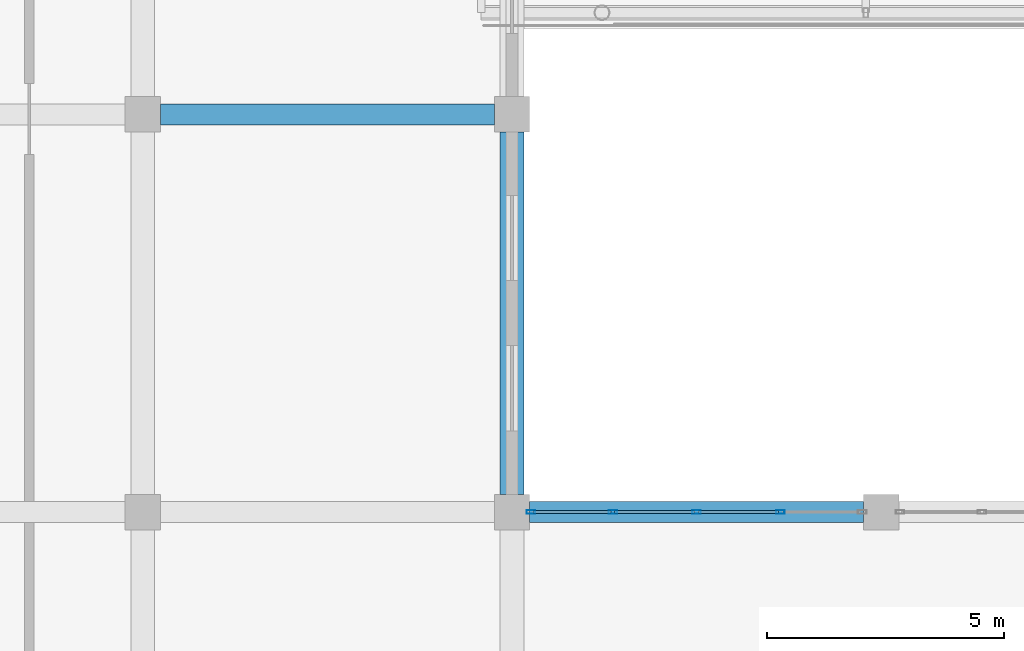
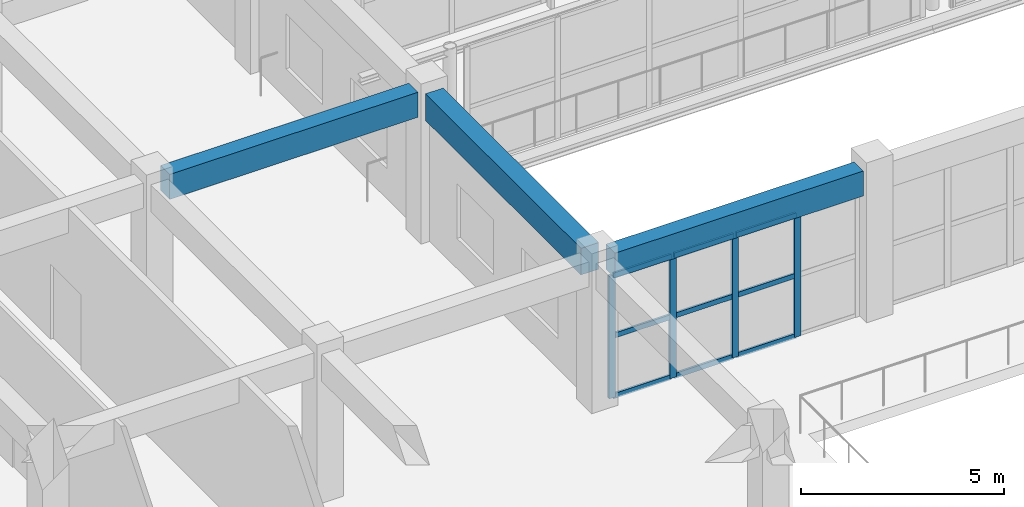
# One storey, part 40 of 175: 13 members, 3 beams, 1 element without a shape of its own.
"""IFC4 building model written with IfcOpenShell, lengths in metres."""

from ifc_helpers import new_model, si_unit, direction, frame, origin, origin_2d, place, context, subcontext, project, spatial, rectangle, hollow_rectangle, extrude, material, layer, layer_set, material_profile, profile_set, type_object, element, aggregate, save


model = new_model("IFC4")

# Units and contexts
model_context = context("Model", 3, precision=1e-05, world=origin(), true_north=direction((0.0, 1.0)))
body_context = subcontext(model_context, "Body", "Model", "MODEL_VIEW")
ifc_project = project(units=[si_unit("LENGTHUNIT", "METRE"), si_unit("AREAUNIT", "SQUARE_METRE"), si_unit("VOLUMEUNIT", "CUBIC_METRE"), si_unit("PLANEANGLEUNIT", "RADIAN"), si_unit("MASSUNIT", "GRAM", prefix="KILO")], contexts=[model_context])

# Site, building, storey
site_placement = place(None, origin())
site = spatial("IfcSite", under=ifc_project, at=site_placement, CompositionType="ELEMENT")
building_placement = place(site_placement, origin())
building = spatial("IfcBuilding", under=site, at=building_placement, Name="Zizhar Promenade General Hospital", CompositionType="ELEMENT")
storey_placement = place(building_placement, frame((0.0, 0.0, 4.800048828125)))
storey = spatial("IfcBuildingStorey", under=building, at=storey_placement, Name="L01", CompositionType="ELEMENT", Elevation=4.800048828125)

# Beams
ifc_material_1 = material(Name="Concrete C35/45", Category="concrete")
ifc_material_profile_1 = material_profile(ifc_material_1, rectangle(XDim=0.449951171875, YDim=0.75, at=origin_2d()))
ifc_profile_set_1 = profile_set([ifc_material_profile_1], Name="Concrete C35/45")
beam_type_1 = type_object("IfcBeamType", Name="BM-RC-450x750", PredefinedType="BEAM", material=ifc_profile_set_1)
for number, where, z_axis, x_axis, name in (
    (1, (62.77490234375, 58.800048828125, 4.094970703125), (1.0, 0.0, 0.0), (0.0, 1.0, 0.0), "Grid Beam X L01 (8-7)"),
    (2, (70.574951171875, 50.39990234375, 4.094970703125), (1.0, 0.0, 0.0), (0.0, 1.0, 0.0), "Grid Beam X L01 (9-6)"),
):
    element("IfcBeam", number, at=place(storey_placement, frame(where, z_axis=z_axis, x_axis=x_axis)), inside=storey, type_object=beam_type_1, Name=name, PredefinedType="BEAM", context=body_context, shape_type="SweptSolid", body=[
        extrude(rectangle(XDim=0.449951171875, YDim=0.75, at=origin_2d()), origin(), (0.0, 0.0, 1.0), 7.050048828125),
    ])
ifc_material_2 = material(Name="Concrete C35/45", Category="concrete")
ifc_material_profile_2 = material_profile(ifc_material_2, rectangle(XDim=0.5, YDim=0.800048828125, at=origin_2d()))
ifc_profile_set_2 = profile_set([ifc_material_profile_2], Name="Concrete C35/45")
beam_type_2 = type_object("IfcBeamType", Name="BM-RC-500x800", PredefinedType="BEAM", material=ifc_profile_set_2)
beam_placement = place(storey_placement, frame((70.199951171875, 50.77490234375, 4.070068359375), z_axis=(0.0, 1.0, 0.0), x_axis=(-1.0, 0.0, 0.0)))
element("IfcBeam", 3, at=beam_placement, inside=storey, type_object=beam_type_2, Name="Grid Beam Y L01 (9-6)", PredefinedType="BEAM", context=body_context, shape_type="SweptSolid", body=[
    extrude(rectangle(XDim=0.5, YDim=0.800048828125, at=origin_2d()), origin(), (0.0, 0.0, 1.0), 7.650146484375),
])

# Curtain wall, members
ifc_material_3 = material(Name="Anodised aluminium 6063-T6 and low-E glass", Category="aluminium")
ifc_layer = layer(ifc_material_3, 0.159912109375)
ifc_layer_set = layer_set([ifc_layer], Name="Anodised aluminium 6063-T6 and low-E glass")
curtain_wall_type = type_object("IfcCurtainWallType", Name="CW-HALL-N", PredefinedType="NOTDEFINED", material=ifc_layer_set)
curtain_wall_placement = place(storey_placement, origin())
curtain_wall = element("IfcCurtainWall", 4, at=curtain_wall_placement, inside=storey, type_object=curtain_wall_type, Name="Main Hall Courtyard Curtain Wall L01-9", PredefinedType="NOTDEFINED")
ifc_material_4 = material(Name="Anodised aluminium 6063-T6", Category="aluminium")
ifc_material_profile_3 = material_profile(ifc_material_4, hollow_rectangle(XDim=0.080078125, YDim=0.179931640625, WallThickness=0.0048828125, at=origin_2d()))
ifc_profile_set_3 = profile_set([ifc_material_profile_3], Name="Anodised aluminium 6063-T6")
member_type_1 = type_object("IfcMemberType", Name="CWM-ALU-180x80", PredefinedType="MULLION", material=ifc_profile_set_3)
member_1_placement = place(storey_placement, frame((70.60009765625, 50.39990234375, 0.0), z_axis=(0.0, 0.0, 1.0), x_axis=(0.0, 1.0, 0.0)))
member_1 = element("IfcMember", 5, at=member_1_placement, type_object=member_type_1, Name="CW-02 mullion 1", PredefinedType="MULLION", context=body_context, shape_type="SweptSolid", body=[
    extrude(hollow_rectangle(XDim=0.080078125, YDim=0.179931640625, WallThickness=0.0048828125, at=origin_2d()), origin(), (0.0, 0.0, 1.0), 3.679931640625),
])
member_2_placement = place(storey_placement, frame((72.330078125, 50.39990234375, 0.0), z_axis=(0.0, 0.0, 1.0), x_axis=(0.0, 1.0, 0.0)))
member_2 = element("IfcMember", 6, at=member_2_placement, type_object=member_type_1, Name="CW-02 mullion 2", PredefinedType="MULLION", context=body_context, shape_type="SweptSolid", body=[
    extrude(hollow_rectangle(XDim=0.080078125, YDim=0.179931640625, WallThickness=0.0048828125, at=origin_2d()), origin(), (0.0, 0.0, 1.0), 3.679931640625),
])
member_3_placement = place(storey_placement, frame((74.10009765625, 50.39990234375, 0.0), z_axis=(0.0, 0.0, 1.0), x_axis=(0.0, 1.0, 0.0)))
member_3 = element("IfcMember", 7, at=member_3_placement, type_object=member_type_1, Name="CW-02 mullion 3", PredefinedType="MULLION", context=body_context, shape_type="SweptSolid", body=[
    extrude(hollow_rectangle(XDim=0.080078125, YDim=0.179931640625, WallThickness=0.0048828125, at=origin_2d()), origin(), (0.0, 0.0, 1.0), 3.679931640625),
])
member_4_placement = place(storey_placement, frame((75.8701171875, 50.39990234375, 0.0), z_axis=(0.0, 0.0, 1.0), x_axis=(0.0, 1.0, 0.0)))
member_4 = element("IfcMember", 8, at=member_4_placement, type_object=member_type_1, Name="CW-02 mullion 4", PredefinedType="MULLION", context=body_context, shape_type="SweptSolid", body=[
    extrude(hollow_rectangle(XDim=0.080078125, YDim=0.179931640625, WallThickness=0.0048828125, at=origin_2d()), origin(), (0.0, 0.0, 1.0), 3.679931640625),
])
ifc_material_5 = material(Name="Anodised aluminium 6063-T6", Category="aluminium")
ifc_material_profile_4 = material_profile(ifc_material_5, hollow_rectangle(XDim=0.06005859375, YDim=0.14990234375, WallThickness=0.00390625, at=origin_2d()))
ifc_profile_set_4 = profile_set([ifc_material_profile_4], Name="Anodised aluminium 6063-T6")
member_type_2 = type_object("IfcMemberType", Name="CWT-ALU-150x60", PredefinedType="USERDEFINED", material=ifc_profile_set_4)
member_5_placement = place(storey_placement, frame((70.639892578125, 50.39990234375, 0.030029296875), z_axis=(1.0, 0.0, 0.0), x_axis=(0.0, 1.0, 0.0)))
member_5 = element("IfcMember", 9, at=member_5_placement, type_object=member_type_2, Name="CW-02 transom 1.1", ObjectType="TRANSOM", PredefinedType="USERDEFINED", context=body_context, shape_type="SweptSolid", body=[
    extrude(hollow_rectangle(XDim=0.06005859375, YDim=0.14990234375, WallThickness=0.00390625, at=origin_2d()), origin(), (0.0, 0.0, 1.0), 1.650146484375),
])
member_6_placement = place(storey_placement, frame((70.639892578125, 50.39990234375, 1.83984375), z_axis=(1.0, 0.0, 0.0), x_axis=(0.0, 1.0, 0.0)))
member_6 = element("IfcMember", 10, at=member_6_placement, type_object=member_type_2, Name="CW-02 transom 1.2", ObjectType="TRANSOM", PredefinedType="USERDEFINED", context=body_context, shape_type="SweptSolid", body=[
    extrude(hollow_rectangle(XDim=0.06005859375, YDim=0.14990234375, WallThickness=0.00390625, at=origin_2d()), origin(), (0.0, 0.0, 1.0), 1.650146484375),
])
member_7_placement = place(storey_placement, frame((70.639892578125, 50.39990234375, 3.64990234375), z_axis=(1.0, 0.0, 0.0), x_axis=(0.0, 1.0, 0.0)))
member_7 = element("IfcMember", 11, at=member_7_placement, type_object=member_type_2, Name="CW-02 transom 1.3", ObjectType="TRANSOM", PredefinedType="USERDEFINED", context=body_context, shape_type="SweptSolid", body=[
    extrude(hollow_rectangle(XDim=0.06005859375, YDim=0.14990234375, WallThickness=0.00390625, at=origin_2d()), origin(), (0.0, 0.0, 1.0), 1.650146484375),
])
member_8_placement = place(storey_placement, frame((72.3701171875, 50.39990234375, 0.030029296875), z_axis=(1.0, 0.0, 0.0), x_axis=(0.0, 1.0, 0.0)))
member_8 = element("IfcMember", 12, at=member_8_placement, type_object=member_type_2, Name="CW-02 transom 2.1", ObjectType="TRANSOM", PredefinedType="USERDEFINED", context=body_context, shape_type="SweptSolid", body=[
    extrude(hollow_rectangle(XDim=0.06005859375, YDim=0.14990234375, WallThickness=0.00390625, at=origin_2d()), origin(), (0.0, 0.0, 1.0), 1.68994140625),
])
member_9_placement = place(storey_placement, frame((72.3701171875, 50.39990234375, 1.83984375), z_axis=(1.0, 0.0, 0.0), x_axis=(0.0, 1.0, 0.0)))
member_9 = element("IfcMember", 13, at=member_9_placement, type_object=member_type_2, Name="CW-02 transom 2.2", ObjectType="TRANSOM", PredefinedType="USERDEFINED", context=body_context, shape_type="SweptSolid", body=[
    extrude(hollow_rectangle(XDim=0.06005859375, YDim=0.14990234375, WallThickness=0.00390625, at=origin_2d()), origin(), (0.0, 0.0, 1.0), 1.68994140625),
])
member_10_placement = place(storey_placement, frame((72.3701171875, 50.39990234375, 3.64990234375), z_axis=(1.0, 0.0, 0.0), x_axis=(0.0, 1.0, 0.0)))
member_10 = element("IfcMember", 14, at=member_10_placement, type_object=member_type_2, Name="CW-02 transom 2.3", ObjectType="TRANSOM", PredefinedType="USERDEFINED", context=body_context, shape_type="SweptSolid", body=[
    extrude(hollow_rectangle(XDim=0.06005859375, YDim=0.14990234375, WallThickness=0.00390625, at=origin_2d()), origin(), (0.0, 0.0, 1.0), 1.68994140625),
])
member_11_placement = place(storey_placement, frame((74.139892578125, 50.39990234375, 0.030029296875), z_axis=(1.0, 0.0, 0.0), x_axis=(0.0, 1.0, 0.0)))
member_11 = element("IfcMember", 15, at=member_11_placement, type_object=member_type_2, Name="CW-02 transom 3.1", ObjectType="TRANSOM", PredefinedType="USERDEFINED", context=body_context, shape_type="SweptSolid", body=[
    extrude(hollow_rectangle(XDim=0.06005859375, YDim=0.14990234375, WallThickness=0.00390625, at=origin_2d()), origin(), (0.0, 0.0, 1.0), 1.690185546875),
])
member_12_placement = place(storey_placement, frame((74.139892578125, 50.39990234375, 1.83984375), z_axis=(1.0, 0.0, 0.0), x_axis=(0.0, 1.0, 0.0)))
member_12 = element("IfcMember", 16, at=member_12_placement, type_object=member_type_2, Name="CW-02 transom 3.2", ObjectType="TRANSOM", PredefinedType="USERDEFINED", context=body_context, shape_type="SweptSolid", body=[
    extrude(hollow_rectangle(XDim=0.06005859375, YDim=0.14990234375, WallThickness=0.00390625, at=origin_2d()), origin(), (0.0, 0.0, 1.0), 1.690185546875),
])
member_13_placement = place(storey_placement, frame((74.139892578125, 50.39990234375, 3.64990234375), z_axis=(1.0, 0.0, 0.0), x_axis=(0.0, 1.0, 0.0)))
member_13 = element("IfcMember", 17, at=member_13_placement, type_object=member_type_2, Name="CW-02 transom 3.3", ObjectType="TRANSOM", PredefinedType="USERDEFINED", context=body_context, shape_type="SweptSolid", body=[
    extrude(hollow_rectangle(XDim=0.06005859375, YDim=0.14990234375, WallThickness=0.00390625, at=origin_2d()), origin(), (0.0, 0.0, 1.0), 1.690185546875),
])
aggregate(curtain_wall, [member_1, member_2, member_3, member_4, member_5, member_6, member_7, member_8, member_9, member_10, member_11, member_12, member_13])

save(model, "model.ifc")
